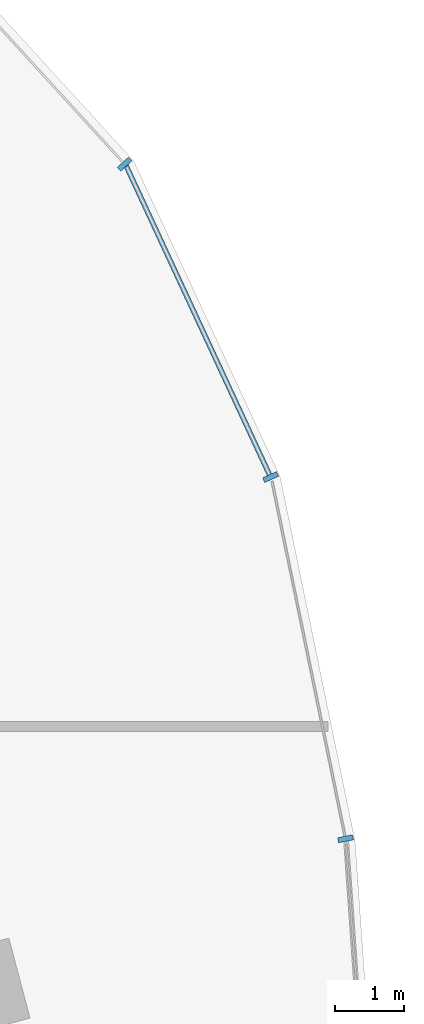
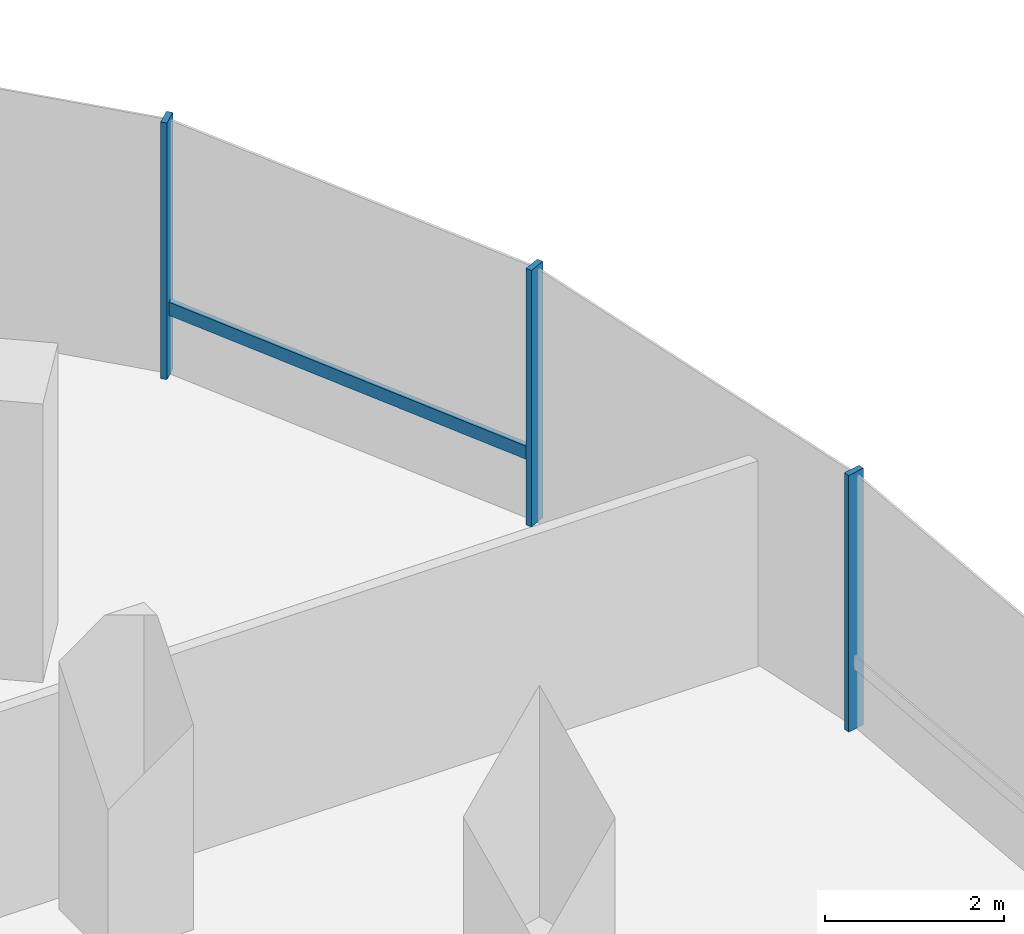
# One storey, part 8 of 21: 4 members, 1 element without a shape of its own.
"""IFC4 building model written with IfcOpenShell, lengths in metres."""

from ifc_helpers import new_model, si_unit, direction, frame, origin, origin_2d, place, context, subcontext, project, spatial, rectangle, extrude, material, material_profile, profile_set, type_object, element, aggregate, save


model = new_model("IFC4")

# Units and contexts
model_context = context("Model", 3, precision=1e-05, world=origin(), true_north=direction((0.0, 1.0)))
body_context = subcontext(model_context, "Body", "Model", "MODEL_VIEW")
ifc_project = project(units=[si_unit("LENGTHUNIT", "METRE"), si_unit("AREAUNIT", "SQUARE_METRE"), si_unit("VOLUMEUNIT", "CUBIC_METRE"), si_unit("PLANEANGLEUNIT", "RADIAN"), si_unit("MASSUNIT", "GRAM", prefix="KILO"), si_unit("THERMODYNAMICTEMPERATUREUNIT", "KELVIN"), si_unit("POWERUNIT", "WATT")], contexts=[model_context])

# Site, building, storey
site_placement = place(None, origin())
site = spatial("IfcSite", under=ifc_project, at=site_placement, CompositionType="ELEMENT")
building_placement = place(site_placement, origin())
building = spatial("IfcBuilding", under=site, at=building_placement, Name="Cundina Bronze Exchange", CompositionType="ELEMENT")
storey_placement = place(building_placement, frame((0.0, 0.0, 50.60009765625)))
storey = spatial("IfcBuildingStorey", under=building, at=storey_placement, Name="L12", CompositionType="ELEMENT", Elevation=50.60009765625)

# Curtain wall, members
ifc_material = material(Name="Anodised Bronze Aluminium 6063-T6", Category="aluminium")
curtain_wall_type = type_object("IfcCurtainWallType", Name="CWS-TRD-LOW", PredefinedType="NOTDEFINED", material=ifc_material)
curtain_wall_placement = place(storey_placement, origin())
curtain_wall = element("IfcCurtainWall", 1, at=curtain_wall_placement, inside=storey, type_object=curtain_wall_type, Name="L12 CW-02 Curtain Wall Run CWR-L12-E1", PredefinedType="NOTDEFINED")
ifc_material_profile_1 = material_profile(ifc_material, rectangle(XDim=0.074951171875, YDim=0.219970703125, at=origin_2d()), Name="AL75X220", Category="aluminium")
ifc_profile_set_1 = profile_set([ifc_material_profile_1], Name="Anodised Bronze Aluminium 6063-T6")
member_type_1 = type_object("IfcMemberType", Name="CWM-MUL-220", PredefinedType="MULLION", material=ifc_profile_set_1)
member_1_placement = place(storey_placement, frame((50.717041015625, 8.67822265625, 0.0), z_axis=(0.0, 0.0, 1.0), x_axis=(-0.201419845156, 0.979505000486, 0.0)))
member_1 = element("IfcMember", 2, at=member_1_placement, type_object=member_type_1, Name="CW-02 Mullion 2", PredefinedType="MULLION", context=body_context, shape_type="SweptSolid", body=[
    extrude(rectangle(XDim=0.074951171875, YDim=0.219970703125, at=origin_2d()), origin(), (0.0, 0.0, 1.0), 3.5),
])
member_2_placement = place(storey_placement, frame((49.6279296875, 13.931884765625, 0.0), z_axis=(0.0, 0.0, 1.0), x_axis=(-0.42087749791, 0.907117485088, 0.0)))
member_2 = element("IfcMember", 3, at=member_2_placement, type_object=member_type_1, Name="CW-02 Mullion 3", PredefinedType="MULLION", context=body_context, shape_type="SweptSolid", body=[
    extrude(rectangle(XDim=0.074951171875, YDim=0.219970703125, at=origin_2d()), origin(), (0.0, 0.0, 1.0), 3.5),
])
member_3_placement = place(storey_placement, frame((47.508544921875, 18.47705078125, 0.0), z_axis=(0.0, 0.0, 1.0), x_axis=(-0.674302387584, 0.738455340626, 0.0)))
member_3 = element("IfcMember", 4, at=member_3_placement, type_object=member_type_1, Name="CW-02 Mullion 4", PredefinedType="MULLION", context=body_context, shape_type="SweptSolid", body=[
    extrude(rectangle(XDim=0.074951171875, YDim=0.219970703125, at=origin_2d()), origin(), (0.0, 0.0, 1.0), 3.5),
])
ifc_material_profile_2 = material_profile(ifc_material, rectangle(XDim=0.070068359375, YDim=0.179931640625, at=origin_2d()), Name="AL70X180", Category="aluminium")
ifc_profile_set_2 = profile_set([ifc_material_profile_2], Name="Anodised Bronze Aluminium 6063-T6")
member_type_2 = type_object("IfcMemberType", Name="CWM-TRN-180", PredefinedType="USERDEFINED", material=ifc_profile_set_2)
member_4_placement = place(storey_placement, frame((49.610595703125, 13.96923828125, 0.919921875), z_axis=(-0.420811422796, 0.907148139195, 0.0), x_axis=(-0.907148139195, -0.420811422796, 0.0)))
member_4 = element("IfcMember", 5, at=member_4_placement, type_object=member_type_2, Name="CW-02 Spandrel Transom 3", ObjectType="TRANSOM", PredefinedType="USERDEFINED", context=body_context, shape_type="SweptSolid", body=[
    extrude(rectangle(XDim=0.070068359375, YDim=0.179931640625, at=origin_2d()), origin(), (0.0, 0.0, 1.0), 4.95166015625),
])
aggregate(curtain_wall, [member_1, member_2, member_4, member_3])

save(model, "model.ifc")
